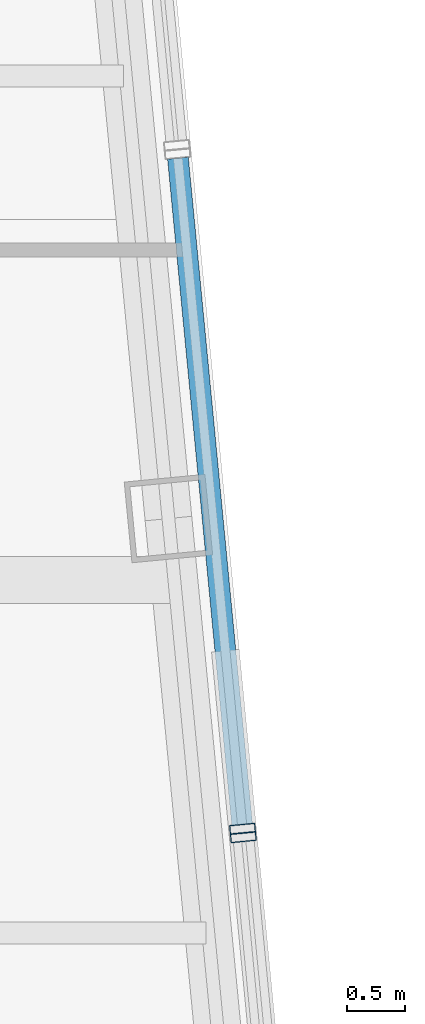
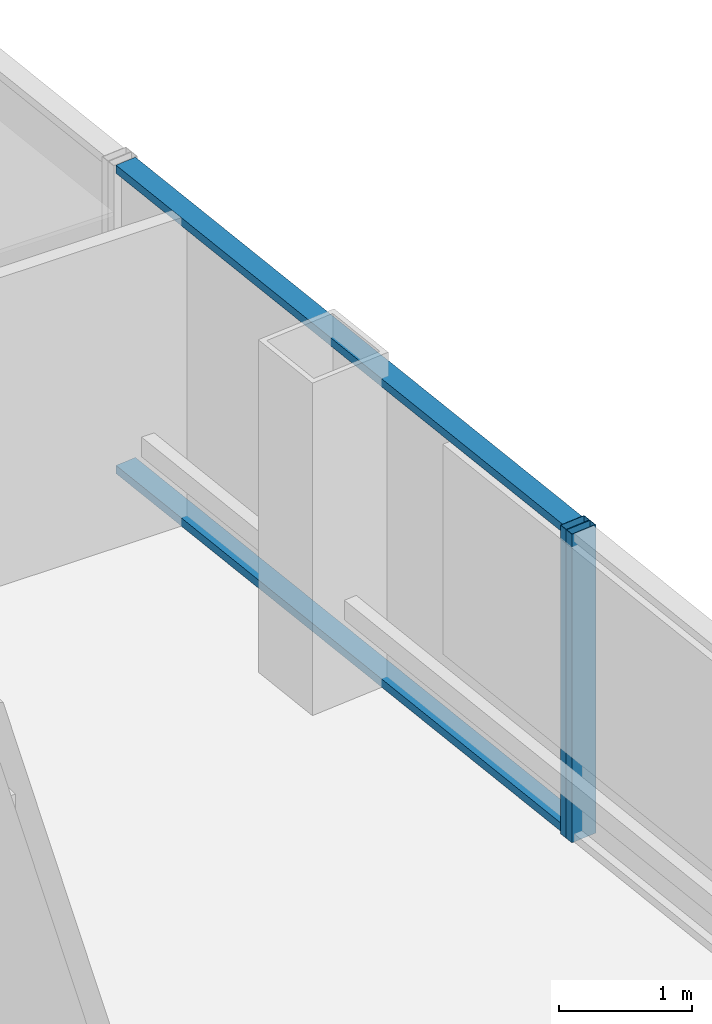
# One storey, part 16 of 28: 4 members, 2 elements without a shape of their own.
"""IFC4 building model written with IfcOpenShell, lengths in metres."""

from ifc_helpers import new_model, si_unit, direction, frame, origin, origin_2d, place, context, subcontext, project, spatial, hollow_rectangle, extrude, material, layer, layer_set, material_profile, profile_set, type_object, element, aggregate, save


model = new_model("IFC4")

# Units and contexts
model_context = context("Model", 3, precision=1e-05, world=origin(), true_north=direction((0.0, 1.0)))
body_context = subcontext(model_context, "Body", "Model", "MODEL_VIEW")
ifc_project = project(units=[si_unit("LENGTHUNIT", "METRE"), si_unit("AREAUNIT", "SQUARE_METRE"), si_unit("VOLUMEUNIT", "CUBIC_METRE"), si_unit("PLANEANGLEUNIT", "RADIAN"), si_unit("MASSUNIT", "GRAM", prefix="KILO")], contexts=[model_context])

# Site, building, storey
site_placement = place(None, origin())
site = spatial("IfcSite", under=ifc_project, at=site_placement, CompositionType="ELEMENT")
building_placement = place(site_placement, origin())
building = spatial("IfcBuilding", under=site, at=building_placement, Name="Qhalaya Broadcast Tower", CompositionType="ELEMENT")
storey_placement = place(building_placement, frame((0.0, 0.0, 159.199951171875)))
storey = spatial("IfcBuildingStorey", under=building, at=storey_placement, Name="L46", CompositionType="ELEMENT", Elevation=159.199951171875)

# Curtain wall, member
ifc_material_1 = material(Name="Solar-Control Low-E Triple Glazing", Category="glass")
ifc_layer_1 = layer(ifc_material_1, 0.219970703125, Name="Solar-Control Low-E Triple Glazing")
ifc_layer_set_1 = layer_set([ifc_layer_1], Name="Solar-Control Low-E Triple Glazing")
curtain_wall_type_1 = type_object("IfcCurtainWallType", Name="Even-Block 4-Storey Double-Module Curtain Wall CW-03", PredefinedType="NOTDEFINED", material=ifc_layer_set_1)
curtain_wall_1_placement = place(storey_placement, origin())
curtain_wall_1 = element("IfcCurtainWall", 1, at=curtain_wall_1_placement, inside=storey, type_object=curtain_wall_type_1, Name="L46 Unitised Curtain Wall L46-CW-E4", PredefinedType="NOTDEFINED")
ifc_material_2 = material(Name="Anodised Aluminium 6063-T6", Category="aluminium")
ifc_material_profile_1 = material_profile(ifc_material_2, hollow_rectangle(XDim=0.074951171875, YDim=0.219970703125, WallThickness=0.00390625, at=origin_2d()), Name="ALU-MUL 75x220x4")
ifc_profile_set_1 = profile_set([ifc_material_profile_1], Name="Anodised Aluminium 6063-T6")
member_type_1 = type_object("IfcMemberType", Name="Unitised Curtain-Wall Mullion M01", PredefinedType="MULLION", material=ifc_profile_set_1)
member_1_placement = place(storey_placement, frame((17.18408203125, 7.72705078125, 0.0), z_axis=(0.0, 0.0, 1.0), x_axis=(-0.095855381625, 0.995395271143, 0.0)))
member_1 = element("IfcMember", 2, at=member_1_placement, type_object=member_type_1, Name="CW-03 mullion 2", PredefinedType="MULLION", context=body_context, shape_type="SweptSolid", body=[
    extrude(hollow_rectangle(XDim=0.074951171875, YDim=0.219970703125, WallThickness=0.00390625, at=origin_2d()), origin(), (0.0, 0.0, 1.0), 2.830078125),
])
aggregate(curtain_wall_1, [member_1])

# Curtain wall, members
ifc_material_3 = material(Name="Fired Architectural Terracotta", Category="masonry")
ifc_layer_2 = layer(ifc_material_3, 0.219970703125, Name="Fired Architectural Terracotta")
ifc_layer_set_2 = layer_set([ifc_layer_2], Name="Fired Architectural Terracotta")
curtain_wall_type_2 = type_object("IfcCurtainWallType", Name="Block-Cap Unitised Terracotta Spandrel Wall CW-07", PredefinedType="NOTDEFINED", material=ifc_layer_set_2)
curtain_wall_2_placement = place(storey_placement, origin())
curtain_wall_2 = element("IfcCurtainWall", 3, at=curtain_wall_2_placement, inside=storey, type_object=curtain_wall_type_2, Name="L46 Unitised Curtain Wall L46-CW-E5", PredefinedType="NOTDEFINED")
member_2_placement = place(storey_placement, frame((17.177001953125, 7.8017578125, 0.0), z_axis=(0.0, 0.0, 1.0), x_axis=(-0.095849311193, 0.9953958557, 0.0)))
member_2 = element("IfcMember", 4, at=member_2_placement, type_object=member_type_1, Name="CW-07 mullion 1", PredefinedType="MULLION", context=body_context, shape_type="SweptSolid", body=[
    extrude(hollow_rectangle(XDim=0.074951171875, YDim=0.219970703125, WallThickness=0.00390625, at=origin_2d()), origin(), (0.0, 0.0, 1.0), 2.830078125),
])
ifc_material_profile_2 = material_profile(ifc_material_2, hollow_rectangle(XDim=0.074951171875, YDim=0.179931640625, WallThickness=0.00390625, at=origin_2d()), Name="ALU-TRN 75x180x4")
ifc_profile_set_2 = profile_set([ifc_material_profile_2], Name="Anodised Aluminium 6063-T6")
member_type_2 = type_object("IfcMemberType", Name="Unitised Curtain-Wall Transom T01", PredefinedType="USERDEFINED", material=ifc_profile_set_2)
member_3_placement = place(storey_placement, frame((17.17333984375, 7.839111328125, 0.03759765625), z_axis=(-0.095855691474, 0.995395241305, 0.0), x_axis=(0.0, 0.0, 1.0)))
member_3 = element("IfcMember", 5, at=member_3_placement, type_object=member_type_2, Name="CW-07 transom 1.1", ObjectType="TRANSOM", PredefinedType="USERDEFINED", context=body_context, shape_type="SweptSolid", body=[
    extrude(hollow_rectangle(XDim=0.074951171875, YDim=0.179931640625, WallThickness=0.00390625, at=origin_2d()), origin(), (0.0, 0.0, 1.0), 5.779052734375),
])
member_4_placement = place(storey_placement, frame((17.17333984375, 7.839111328125, 2.79248046875), z_axis=(-0.095855691474, 0.995395241305, 0.0), x_axis=(0.0, 0.0, 1.0)))
member_4 = element("IfcMember", 6, at=member_4_placement, type_object=member_type_2, Name="CW-07 transom 1.2", ObjectType="TRANSOM", PredefinedType="USERDEFINED", context=body_context, shape_type="SweptSolid", body=[
    extrude(hollow_rectangle(XDim=0.074951171875, YDim=0.179931640625, WallThickness=0.00390625, at=origin_2d()), origin(), (0.0, 0.0, 1.0), 5.779052734375),
])
aggregate(curtain_wall_2, [member_2, member_3, member_4])

save(model, "model.ifc")
